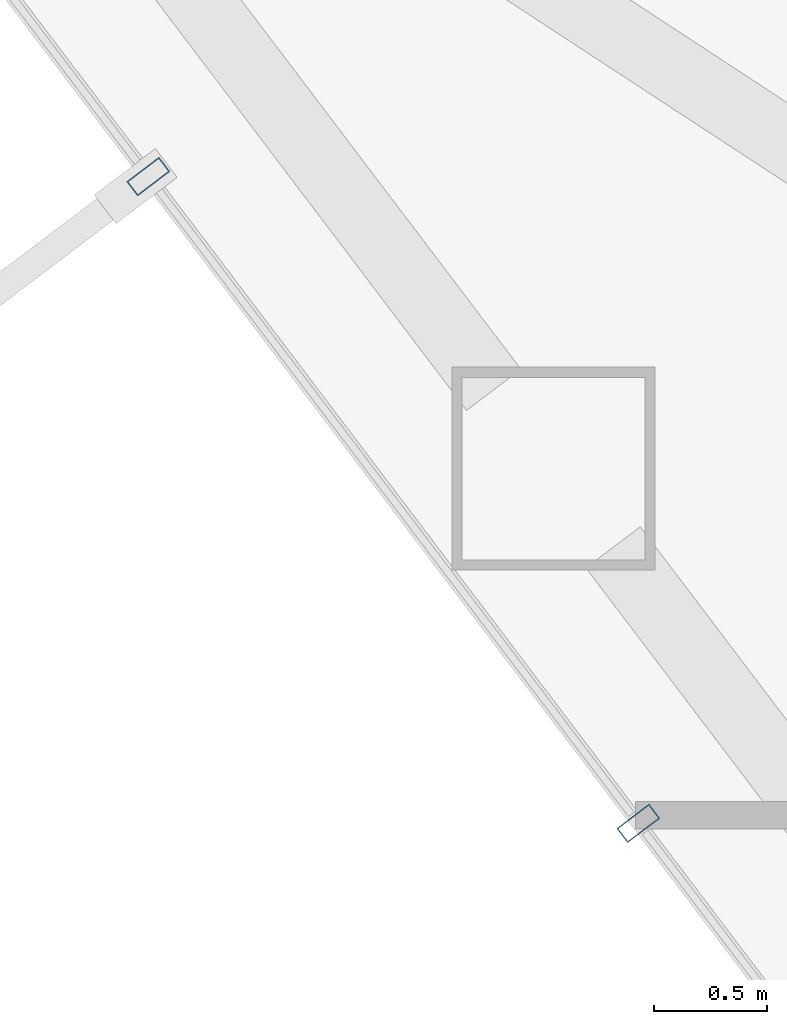
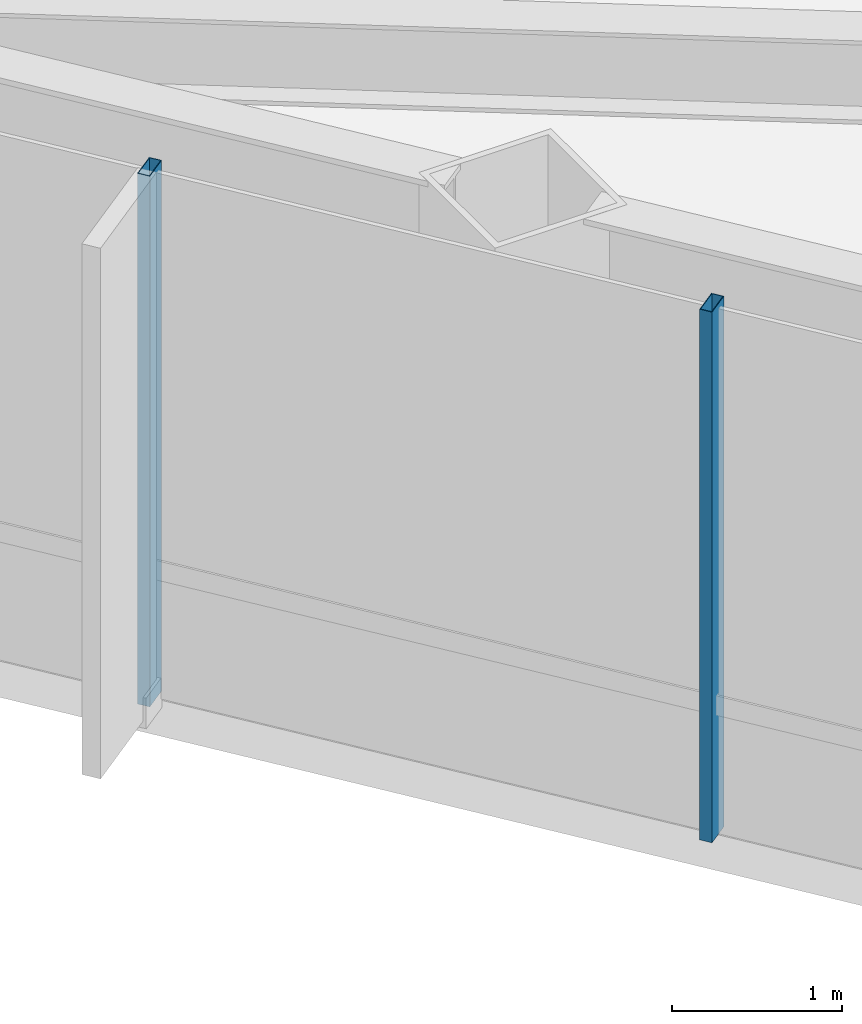
# One storey, part 4 of 25: 2 members, 1 element without a shape of its own.
"""IFC4 building model written with IfcOpenShell, lengths in metres."""

from ifc_helpers import new_model, si_unit, direction, frame, origin, origin_2d, place, context, subcontext, project, spatial, hollow_rectangle, extrude, material, layer, layer_set, material_profile, profile_set, type_object, element, aggregate, save


model = new_model("IFC4")

# Units and contexts
model_context = context("Model", 3, precision=1e-05, world=origin(), true_north=direction((0.0, 1.0)))
body_context = subcontext(model_context, "Body", "Model", "MODEL_VIEW")
ifc_project = project(units=[si_unit("LENGTHUNIT", "METRE"), si_unit("AREAUNIT", "SQUARE_METRE"), si_unit("VOLUMEUNIT", "CUBIC_METRE"), si_unit("PLANEANGLEUNIT", "RADIAN"), si_unit("MASSUNIT", "GRAM", prefix="KILO")], contexts=[model_context])

# Site, building, storey
site_placement = place(None, origin())
site = spatial("IfcSite", under=ifc_project, at=site_placement, CompositionType="ELEMENT")
building_placement = place(site_placement, origin())
building = spatial("IfcBuilding", under=site, at=building_placement, Name="Zarrinselat Tower", CompositionType="ELEMENT")
storey_placement = place(building_placement, frame((0.0, 0.0, 88.739990234375)))
storey = spatial("IfcBuildingStorey", under=building, at=storey_placement, Name="L21", CompositionType="ELEMENT", Elevation=88.739990234375)

# Curtain wall, members
ifc_material_1 = material(Name="Extruded Aluminium Alloy EN AW-6063 T6", Category="aluminium")
ifc_layer = layer(ifc_material_1, 0.18505859375)
ifc_layer_set = layer_set([ifc_layer], Name="Extruded Aluminium Alloy EN AW-6063 T6")
curtain_wall_type = type_object("IfcCurtainWallType", Name="CWS-OFF", PredefinedType="NOTDEFINED", material=ifc_layer_set)
curtain_wall_placement = place(storey_placement, origin())
curtain_wall = element("IfcCurtainWall", 1, at=curtain_wall_placement, inside=storey, type_object=curtain_wall_type, Name="L21 Unitised Curtain Wall CW-L21-E03", PredefinedType="NOTDEFINED")
ifc_material_2 = material(Name="Extruded Aluminium Alloy EN AW-6063 T6", Category="aluminium")
ifc_material_profile = material_profile(ifc_material_2, hollow_rectangle(XDim=0.080078125, YDim=0.179931640625, WallThickness=0.0048828125, at=origin_2d()), Name="RHS 180x80x5")
ifc_profile_set = profile_set([ifc_material_profile], Name="Extruded Aluminium Alloy EN AW-6063 T6")
member_type = type_object("IfcMemberType", Name="MEM-CW-MUL", PredefinedType="MULLION", material=ifc_profile_set)
member_1_placement = place(storey_placement, frame((17.555419921875, 33.031494140625, 0.0), z_axis=(0.0, 0.0, 1.0), x_axis=(0.603856459269, -0.797093079006, 0.0)))
member_1 = element("IfcMember", 2, at=member_1_placement, type_object=member_type, Name="CW-L21-E03 Mullion 1", PredefinedType="MULLION", context=body_context, shape_type="SweptSolid", body=[
    extrude(hollow_rectangle(XDim=0.080078125, YDim=0.179931640625, WallThickness=0.0048828125, at=origin_2d()), origin(), (0.0, 0.0, 1.0), 3.820068359375),
])
member_2_placement = place(storey_placement, frame((19.72802734375, 30.163818359375, 0.0), z_axis=(0.0, 0.0, 1.0), x_axis=(0.603856459269, -0.797093079006, 0.0)))
member_2 = element("IfcMember", 3, at=member_2_placement, type_object=member_type, Name="CW-L21-E03 Mullion 2", PredefinedType="MULLION", context=body_context, shape_type="SweptSolid", body=[
    extrude(hollow_rectangle(XDim=0.080078125, YDim=0.179931640625, WallThickness=0.0048828125, at=origin_2d()), origin(), (0.0, 0.0, 1.0), 3.820068359375),
])
aggregate(curtain_wall, [member_1, member_2])

save(model, "model.ifc")
